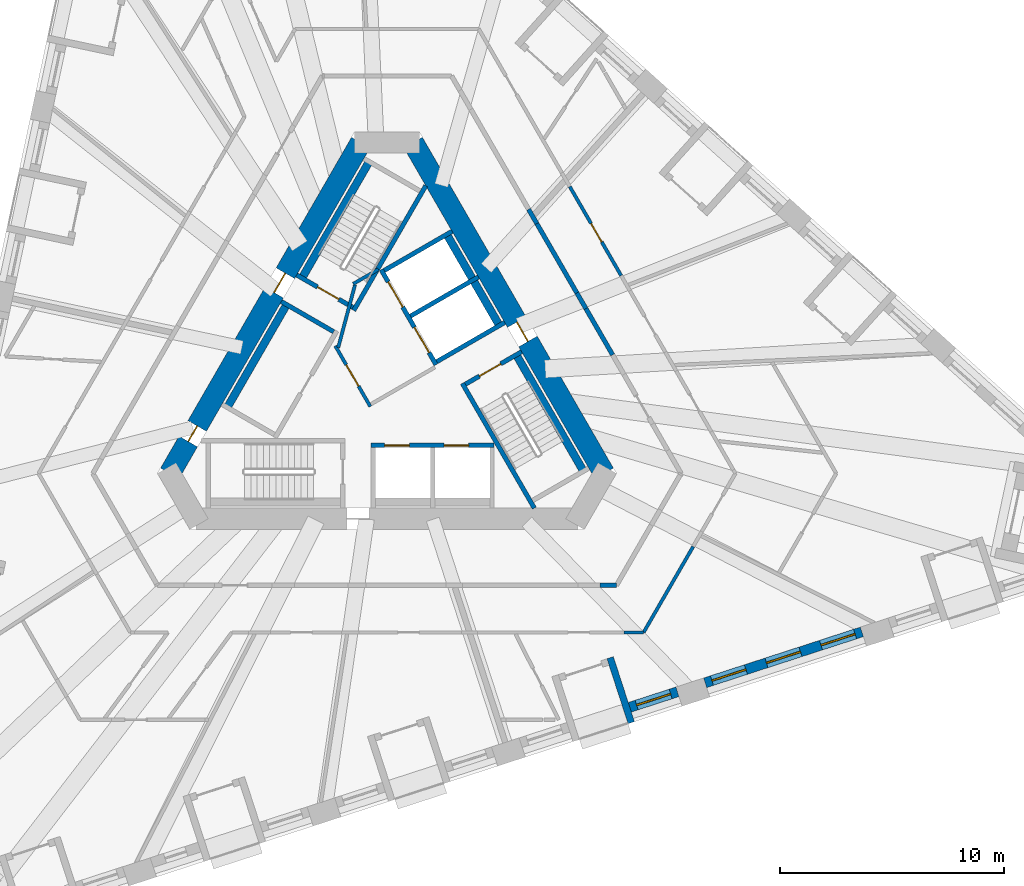
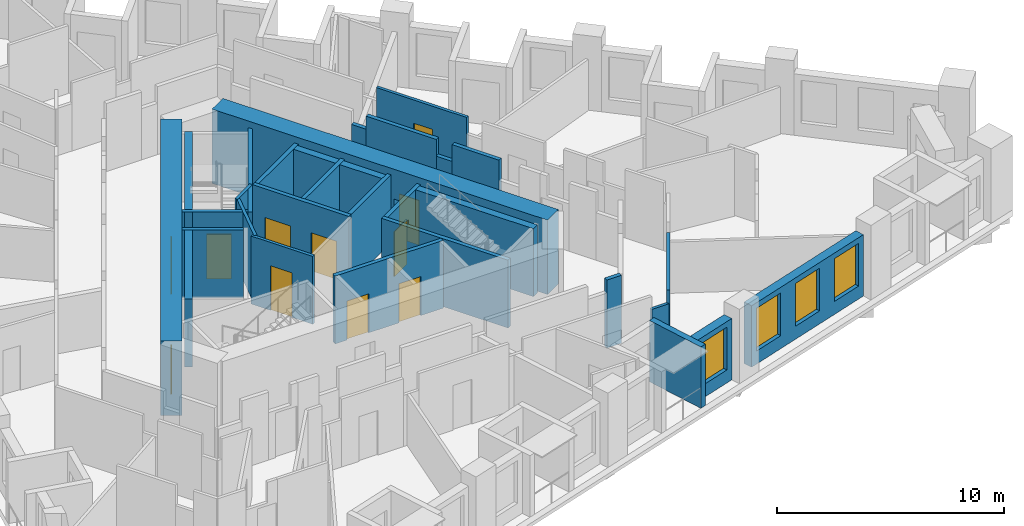
# One storey, part 5 of 12: 30 walls, 11 doors, 4 windows, 15 openings.
"""IFC4 building model written with IfcOpenShell, lengths in metres."""

from ifc_helpers import new_model, si_unit, direction, frame, frame_2d, origin, place, context, subcontext, project, spatial, rectangle, extrude, material, layer, layer_set, type_object, element, fill, save


model = new_model("IFC4")

# Units and contexts
model_context = context("Model", 3, precision=1e-05, world=origin(), true_north=direction((0.0, 1.0)))
body_context = subcontext(model_context, "Body", "Model", "MODEL_VIEW")
ifc_project = project(units=[si_unit("LENGTHUNIT", "METRE"), si_unit("AREAUNIT", "SQUARE_METRE"), si_unit("VOLUMEUNIT", "CUBIC_METRE"), si_unit("PLANEANGLEUNIT", "RADIAN"), si_unit("MASSUNIT", "GRAM", prefix="KILO")], contexts=[model_context])

# Site, building, storey
site_placement = place(None, origin())
site = spatial("IfcSite", under=ifc_project, at=site_placement, CompositionType="ELEMENT")
building_placement = place(site_placement, origin())
building = spatial("IfcBuilding", under=site, at=building_placement, Name="Tramontana Tower", CompositionType="ELEMENT")
storey_placement = place(building_placement, frame((0.0, 0.0, 96.39990234375)))
storey = spatial("IfcBuildingStorey", under=building, at=storey_placement, Name="L21", CompositionType="ELEMENT", Elevation=96.39990234375)

# Wall, openings, doors
ifc_material_1 = material(Name="Concrete 70 MPa", Category="concrete")
ifc_layer_1 = layer(ifc_material_1, 0.949951171875)
ifc_layer_set_1 = layer_set([ifc_layer_1], Name="Core wall 950 70 MPa")
wall_type_1 = type_object("IfcWallType", Name="Core wall 950 70 MPa", PredefinedType="SHEAR", material=ifc_layer_set_1)
wall_1_placement = place(storey_placement, frame((-1.169189453125, 10.52490234375, 0.0), z_axis=(0.0, 0.0, 1.0), x_axis=(-0.499999102847, -0.866025921755, 0.0)))
wall_1 = element("IfcWall", 1, at=wall_1_placement, inside=storey, type_object=wall_type_1, Name="Core wall C1 L21", PredefinedType="SHEAR", context=body_context, shape_type="SweptSolid", body=[
    extrude(rectangle(XDim=17.060546875, YDim=0.949951171875, at=frame_2d((8.5302734375, 0.0))), origin(), (0.0, 0.0, 1.0), 4.0),
])
opening_1_placement = place(wall_1_placement, frame((6.7353515625, 0.0, 0.0)))
opening_1 = element("IfcOpeningElement", 2, at=opening_1_placement, cuts=wall_1, Name="Opening RG1", PredefinedType="OPENING", context=body_context, shape_type="SweptSolid", body=[
    extrude(rectangle(XDim=1.0, YDim=2.39990234375, at=frame_2d((0.5, 1.199951171875))), frame((0.0, 0.48486328125, 0.0), z_axis=(0.0, -1.0, 0.0), x_axis=(1.0, 0.0, 0.0)), (0.0, 0.0, 1.0), 0.969970703125),
])
opening_2_placement = place(wall_1_placement, frame((14.612548828125, 0.0, 0.0)))
opening_2 = element("IfcOpeningElement", 3, at=opening_2_placement, cuts=wall_1, Name="Opening PD1", PredefinedType="OPENING", context=body_context, shape_type="SweptSolid", body=[
    extrude(rectangle(XDim=0.800048828125, YDim=2.10009765625, at=frame_2d((0.39990234375, 1.050048828125))), frame((0.0, 0.48486328125, 0.0), z_axis=(0.0, -1.0, 0.0), x_axis=(1.0, 0.0, 0.0)), (0.0, 0.0, 1.0), 0.969970703125),
])
ifc_material_2 = material(Name="Painted steel", Category="steel")
door_type_1 = type_object("IfcDoorType", Name="CUPBOARD DOOR 800", OperationType="SINGLE_SWING_LEFT", PredefinedType="DOOR", material=ifc_material_2)
door_1_placement = place(opening_2_placement, origin())
door_1 = element("IfcDoor", 4, at=door_1_placement, inside=storey, type_object=door_type_1, Name="Door PD1", OperationType="SINGLE_SWING_RIGHT", OverallHeight=2.10009765625, OverallWidth=0.800048828125, PredefinedType="DOOR", context=body_context, shape_type="SweptSolid", body=[
    extrude(rectangle(XDim=0.800048828125, YDim=2.10009765625, at=frame_2d((0.39990234375, 1.050048828125))), frame((0.0, 0.02490234375, 0.0), z_axis=(0.0, -1.0, 0.0), x_axis=(1.0, 0.0, 0.0)), (0.0, 0.0, 1.0), 0.050048828125),
])
fill(opening_2, door_1)
ifc_material_3 = material(Name="Painted steel", Category="steel")
door_type_2 = type_object("IfcDoorType", Name="RING DOOR 1000", OperationType="SINGLE_SWING_LEFT", PredefinedType="DOOR", material=ifc_material_3)
door_2_placement = place(opening_1_placement, origin())
door_2 = element("IfcDoor", 5, at=door_2_placement, inside=storey, type_object=door_type_2, Name="Door RG1", OperationType="SINGLE_SWING_LEFT", OverallHeight=2.39990234375, OverallWidth=1.0, PredefinedType="DOOR", context=body_context, shape_type="SweptSolid", body=[
    extrude(rectangle(XDim=1.0, YDim=2.39990234375, at=frame_2d((0.5, 1.199951171875))), frame((0.0, 0.02490234375, 0.0), z_axis=(0.0, -1.0, 0.0), x_axis=(1.0, 0.0, 0.0)), (0.0, 0.0, 1.0), 0.050048828125),
])
fill(opening_1, door_2)

# Wall, opening, door
wall_2_placement = place(storey_placement, frame((9.699462890625, -4.25, 0.0), z_axis=(0.0, 0.0, 1.0), x_axis=(-0.499999102847, 0.866025921755, 0.0)))
wall_2 = element("IfcWall", 6, at=wall_2_placement, inside=storey, type_object=wall_type_1, Name="Core wall C5 L21", PredefinedType="SHEAR", context=body_context, shape_type="SweptSolid", body=[
    extrude(rectangle(XDim=17.060546875, YDim=0.949951171875, at=frame_2d((8.5302734375, 0.0))), origin(), (0.0, 0.0, 1.0), 4.0),
])
opening_3_placement = place(wall_2_placement, frame((6.805419921875, 0.0, 0.0)))
opening_3 = element("IfcOpeningElement", 7, at=opening_3_placement, cuts=wall_2, Name="Opening RG3", PredefinedType="OPENING", context=body_context, shape_type="SweptSolid", body=[
    extrude(rectangle(XDim=1.0, YDim=2.39990234375, at=frame_2d((0.5, 1.199951171875))), frame((0.0, 0.48486328125, 0.0), z_axis=(0.0, -1.0, 0.0), x_axis=(1.0, 0.0, 0.0)), (0.0, 0.0, 1.0), 0.969970703125),
])
door_3_placement = place(opening_3_placement, origin())
door_3 = element("IfcDoor", 8, at=door_3_placement, inside=storey, type_object=door_type_2, Name="Door RG3", OperationType="SINGLE_SWING_LEFT", OverallHeight=2.39990234375, OverallWidth=1.0, PredefinedType="DOOR", context=body_context, shape_type="SweptSolid", body=[
    extrude(rectangle(XDim=1.0, YDim=2.39990234375, at=frame_2d((0.5, 1.199951171875))), frame((0.0, 0.02490234375, 0.0), z_axis=(0.0, -1.0, 0.0), x_axis=(1.0, 0.0, 0.0)), (0.0, 0.0, 1.0), 0.050048828125),
])
fill(opening_3, door_3)

# Walls
ifc_material_4 = material(Name="Blockwork", Category="masonry")
ifc_layer_2 = layer(ifc_material_4, 0.199951171875)
ifc_layer_set_2 = layer_set([ifc_layer_2], Name="ENTRY WALL 200")
wall_type_2 = type_object("IfcWallType", Name="ENTRY WALL 200", PredefinedType="SOLIDWALL", material=ifc_layer_set_2)
wall_3_placement = place(storey_placement, frame((6.323974609375, 7.546630859375, 0.0), z_axis=(0.0, 0.0, 1.0), x_axis=(0.499885169746, -0.866091690913, 0.0)))
element("IfcWall", 9, at=wall_3_placement, inside=storey, type_object=wall_type_2, Name="Wall v20-ew0-3", PredefinedType="SOLIDWALL", context=body_context, shape_type="SweptSolid", body=[
    extrude(rectangle(XDim=0.736083984375, YDim=0.199951171875, at=frame_2d((0.3681640625, 0.0))), origin(), (0.0, 0.0, 1.0), 2.9501953125),
])
wall_4_placement = place(storey_placement, frame((6.69189453125, 6.9091796875, 0.0), z_axis=(0.0, 0.0, 1.0), x_axis=(0.500029679218, -0.866008267802, 0.0)))
element("IfcWall", 10, at=wall_4_placement, inside=storey, type_object=wall_type_2, Name="Wall v20-ew0-4", PredefinedType="SOLIDWALL", context=body_context, shape_type="SweptSolid", body=[
    extrude(rectangle(XDim=3.576904296875, YDim=0.199951171875, at=frame_2d((1.78857421875, 0.0))), origin(), (0.0, 0.0, 1.0), 3.650146484375),
])
wall_5_placement = place(storey_placement, frame((8.48046875, 3.8115234375, 0.0), z_axis=(0.0, 0.0, 1.0), x_axis=(0.499809598504, -0.866135304236, 0.0)))
element("IfcWall", 11, at=wall_5_placement, inside=storey, type_object=wall_type_2, Name="Wall v20-ew0-5", PredefinedType="SOLIDWALL", context=body_context, shape_type="SweptSolid", body=[
    extrude(rectangle(XDim=0.808349609375, YDim=0.199951171875, at=frame_2d((0.404296875, 0.0))), origin(), (0.0, 0.0, 1.0), 2.75),
])
wall_6_placement = place(storey_placement, frame((8.884521484375, 3.111328125, 0.0), z_axis=(0.0, 0.0, 1.0), x_axis=(0.500035462246, -0.866004928679, 0.0)))
element("IfcWall", 12, at=wall_6_placement, inside=storey, type_object=wall_type_2, Name="Wall v20-ew0-6", PredefinedType="SOLIDWALL", context=body_context, shape_type="SweptSolid", body=[
    extrude(rectangle(XDim=2.385498046875, YDim=0.199951171875, at=frame_2d((1.19287109375, 0.0))), origin(), (0.0, 0.0, 1.0), 3.650146484375),
])
wall_7_placement = place(storey_placement, frame((10.248046875, -9.25, 0.0), z_axis=(0.0, 0.0, 1.0), x_axis=(-1.0, 0.0, 0.0)))
element("IfcWall", 13, at=wall_7_placement, inside=storey, type_object=wall_type_2, Name="Wall v20-ew2-0", PredefinedType="SOLIDWALL", context=body_context, shape_type="SweptSolid", body=[
    extrude(rectangle(XDim=0.74365234375, YDim=0.199951171875, at=frame_2d((0.371826171875, 0.0))), origin(), (0.0, 0.0, 1.0), 3.650146484375),
])

# Wall, opening, window
ifc_material_5 = material(Name="Precast concrete 60 MPa", Category="concrete")
ifc_layer_3 = layer(ifc_material_5, 0.449951171875)
ifc_layer_set_3 = layer_set([ifc_layer_3], Name="Precast concrete 60 MPa, 450 mm")
wall_type_3 = type_object("IfcWallType", Name="EW1 Stone-faced precast wall 450", PredefinedType="SOLIDWALL", material=ifc_layer_set_3)
wall_8_placement = place(storey_placement, frame((10.8447265625, -14.69287109375, 0.0), z_axis=(0.0, 0.0, 1.0), x_axis=(0.951057328329, 0.30901449518, 0.0)))
wall_8 = element("IfcWall", 14, at=wall_8_placement, inside=storey, type_object=wall_type_3, Name="External wall L21 face 1 bay 4", PredefinedType="SOLIDWALL", context=body_context, shape_type="SweptSolid", body=[
    extrude(rectangle(XDim=2.236572265625, YDim=0.449951171875, at=frame_2d((1.1181640625, 0.0))), origin(), (0.0, 0.0, 1.0), 3.300048828125),
])
opening_4_placement = place(wall_8_placement, frame((0.318359375, 0.0, 0.699951171875)))
opening_4 = element("IfcOpeningElement", 15, at=opening_4_placement, cuts=wall_8, Name="Opening M1", PredefinedType="OPENING", context=body_context, shape_type="SweptSolid", body=[
    extrude(rectangle(XDim=1.60009765625, YDim=2.300048828125, at=frame_2d((0.800048828125, 1.14990234375))), frame((0.0, 0.23486328125, 0.0), z_axis=(0.0, -1.0, 0.0), x_axis=(1.0, 0.0, 0.0)), (0.0, 0.0, 1.0), 0.469970703125),
])
ifc_material_6 = material(Name="Aluminum frame, double glazing unit", Category="aluminium")
window_type = type_object("IfcWindowType", Name="M1 Window 1.6 x 2.3", PartitioningType="SINGLE_PANEL", PredefinedType="WINDOW", material=ifc_material_6)
window_1_placement = place(opening_4_placement, origin())
window_1 = element("IfcWindow", 16, at=window_1_placement, inside=storey, type_object=window_type, Name="Window M1 L21 face 1 module 12", OverallHeight=2.300048828125, OverallWidth=1.60009765625, PartitioningType="SINGLE_PANEL", PredefinedType="WINDOW", context=body_context, shape_type="SweptSolid", body=[
    extrude(rectangle(XDim=1.60009765625, YDim=2.300048828125, at=frame_2d((0.800048828125, 1.14990234375))), frame((0.0, 0.030029296875, 0.0), z_axis=(0.0, -1.0, 0.0), x_axis=(1.0, 0.0, 0.0)), (0.0, 0.0, 1.0), 0.06005859375),
])
fill(opening_4, window_1)

# Wall, openings, windows
wall_9_placement = place(storey_placement, frame((14.208251953125, -13.60009765625, 0.0), z_axis=(0.0, 0.0, 1.0), x_axis=(0.951057467065, 0.309014068191, 0.0)))
wall_9 = element("IfcWall", 17, at=wall_9_placement, inside=storey, type_object=wall_type_3, Name="External wall L21 face 1 bay 5", PredefinedType="SOLIDWALL", context=body_context, shape_type="SweptSolid", body=[
    extrude(rectangle(XDim=7.360107421875, YDim=0.449951171875, at=frame_2d((3.68017578125, 0.0))), origin(), (0.0, 0.0, 1.0), 3.300048828125),
])
opening_5_placement = place(wall_9_placement, frame((0.318359375, 0.0, 0.699951171875)))
opening_5 = element("IfcOpeningElement", 18, at=opening_5_placement, cuts=wall_9, Name="Opening M1", PredefinedType="OPENING", context=body_context, shape_type="SweptSolid", body=[
    extrude(rectangle(XDim=1.60009765625, YDim=2.300048828125, at=frame_2d((0.800048828125, 1.14990234375))), frame((0.0, 0.23486328125, 0.0), z_axis=(0.0, -1.0, 0.0), x_axis=(1.0, 0.0, 0.0)), (0.0, 0.0, 1.0), 0.469970703125),
])
opening_6_placement = place(wall_9_placement, frame((2.880126953125, 0.0, 0.699951171875)))
opening_6 = element("IfcOpeningElement", 19, at=opening_6_placement, cuts=wall_9, Name="Opening M1", PredefinedType="OPENING", context=body_context, shape_type="SweptSolid", body=[
    extrude(rectangle(XDim=1.60009765625, YDim=2.300048828125, at=frame_2d((0.800048828125, 1.14990234375))), frame((0.0, 0.23486328125, 0.0), z_axis=(0.0, -1.0, 0.0), x_axis=(1.0, 0.0, 0.0)), (0.0, 0.0, 1.0), 0.469970703125),
])
opening_7_placement = place(wall_9_placement, frame((5.44189453125, 0.0, 0.699951171875)))
opening_7 = element("IfcOpeningElement", 20, at=opening_7_placement, cuts=wall_9, Name="Opening M1", PredefinedType="OPENING", context=body_context, shape_type="SweptSolid", body=[
    extrude(rectangle(XDim=1.60009765625, YDim=2.300048828125, at=frame_2d((0.800048828125, 1.14990234375))), frame((0.0, 0.23486328125, 0.0), z_axis=(0.0, -1.0, 0.0), x_axis=(1.0, 0.0, 0.0)), (0.0, 0.0, 1.0), 0.469970703125),
])
window_2_placement = place(opening_5_placement, origin())
window_2 = element("IfcWindow", 21, at=window_2_placement, inside=storey, type_object=window_type, Name="Window M1 L21 face 1 module 13", OverallHeight=2.300048828125, OverallWidth=1.60009765625, PartitioningType="SINGLE_PANEL", PredefinedType="WINDOW", context=body_context, shape_type="SweptSolid", body=[
    extrude(rectangle(XDim=1.60009765625, YDim=2.300048828125, at=frame_2d((0.800048828125, 1.14990234375))), frame((0.0, 0.030029296875, 0.0), z_axis=(0.0, -1.0, 0.0), x_axis=(1.0, 0.0, 0.0)), (0.0, 0.0, 1.0), 0.06005859375),
])
fill(opening_5, window_2)
window_3_placement = place(opening_6_placement, origin())
window_3 = element("IfcWindow", 22, at=window_3_placement, inside=storey, type_object=window_type, Name="Window M1 L21 face 1 module 14", OverallHeight=2.300048828125, OverallWidth=1.60009765625, PartitioningType="SINGLE_PANEL", PredefinedType="WINDOW", context=body_context, shape_type="SweptSolid", body=[
    extrude(rectangle(XDim=1.60009765625, YDim=2.300048828125, at=frame_2d((0.800048828125, 1.14990234375))), frame((0.0, 0.030029296875, 0.0), z_axis=(0.0, -1.0, 0.0), x_axis=(1.0, 0.0, 0.0)), (0.0, 0.0, 1.0), 0.06005859375),
])
fill(opening_6, window_3)
window_4_placement = place(opening_7_placement, origin())
window_4 = element("IfcWindow", 23, at=window_4_placement, inside=storey, type_object=window_type, Name="Window M1 L21 face 1 module 15", OverallHeight=2.300048828125, OverallWidth=1.60009765625, PartitioningType="SINGLE_PANEL", PredefinedType="WINDOW", context=body_context, shape_type="SweptSolid", body=[
    extrude(rectangle(XDim=1.60009765625, YDim=2.300048828125, at=frame_2d((0.800048828125, 1.14990234375))), frame((0.0, 0.030029296875, 0.0), z_axis=(0.0, -1.0, 0.0), x_axis=(1.0, 0.0, 0.0)), (0.0, 0.0, 1.0), 0.06005859375),
])
fill(opening_7, window_4)

# Wall
ifc_material_7 = material(Name="Precast concrete 60 MPa", Category="concrete")
ifc_layer_4 = layer(ifc_material_7, 0.300048828125)
ifc_layer_set_4 = layer_set([ifc_layer_4], Name="LW1 Stone-faced loggia wall 300")
wall_type_4 = type_object("IfcWallType", Name="LW1 Stone-faced loggia wall 300", PredefinedType="SOLIDWALL", material=ifc_layer_set_4)
wall_10_placement = place(storey_placement, frame((10.91064453125, -15.38134765625, 0.0), z_axis=(0.0, 0.0, 1.0), x_axis=(-0.309039015525, 0.951049360908, 0.0)))
element("IfcWall", 24, at=wall_10_placement, inside=storey, type_object=wall_type_4, Name="Loggia return L21 G2S1.10b", PredefinedType="SOLIDWALL", context=body_context, shape_type="SweptSolid", body=[
    extrude(rectangle(XDim=3.05029296875, YDim=0.300048828125, at=frame_2d((1.525146484375, 0.0))), origin(), (0.0, 0.0, 1.0), 3.300048828125),
])

# Wall, opening, door
ifc_material_8 = material(Name="Gypsum board partition")
ifc_layer_5 = layer(ifc_material_8, 0.14990234375)
ifc_layer_set_5 = layer_set([ifc_layer_5], Name="PARTITION 150")
wall_type_5 = type_object("IfcWallType", Name="PARTITION 150", PredefinedType="PARTITIONING", material=ifc_layer_set_5)
wall_11_placement = place(storey_placement, frame((-0.744140625, -1.260986328125, 0.0), z_axis=(0.0, 0.0, 1.0), x_axis=(-0.500004234368, 0.866022959057, 0.0)))
wall_11 = element("IfcWall", 25, at=wall_11_placement, inside=storey, type_object=wall_type_5, Name="Wall ff-front", PredefinedType="PARTITIONING", context=body_context, shape_type="SweptSolid", body=[
    extrude(rectangle(XDim=3.125, YDim=0.14990234375, at=frame_2d((1.5625, 0.0))), origin(), (0.0, 0.0, 1.0), 3.650146484375),
])
opening_8_placement = place(wall_11_placement, frame((1.050048828125, 0.0, 0.0)))
opening_8 = element("IfcOpeningElement", 26, at=opening_8_placement, cuts=wall_11, Name="Opening FD1", PredefinedType="OPENING", context=body_context, shape_type="SweptSolid", body=[
    extrude(rectangle(XDim=1.10009765625, YDim=2.39990234375, at=frame_2d((0.550048828125, 1.199951171875))), frame((0.0, 0.0849609375, 0.0), z_axis=(0.0, -1.0, 0.0), x_axis=(1.0, 0.0, 0.0)), (0.0, 0.0, 1.0), 0.169921875),
])
ifc_material_9 = material(Name="Painted timber", Category="wood")
door_type_3 = type_object("IfcDoorType", Name="DOOR ENTRY 1100", OperationType="SINGLE_SWING_LEFT", PredefinedType="DOOR", material=ifc_material_9)
door_4_placement = place(opening_8_placement, origin())
door_4 = element("IfcDoor", 27, at=door_4_placement, inside=storey, type_object=door_type_3, Name="Door FD1", OperationType="SINGLE_SWING_RIGHT", OverallHeight=2.39990234375, OverallWidth=1.10009765625, PredefinedType="DOOR", context=body_context, shape_type="SweptSolid", body=[
    extrude(rectangle(XDim=1.10009765625, YDim=2.39990234375, at=frame_2d((0.550048828125, 1.199951171875))), frame((0.0, 0.02490234375, 0.0), z_axis=(0.0, -1.0, 0.0), x_axis=(1.0, 0.0, 0.0)), (0.0, 0.0, 1.0), 0.050048828125),
])
fill(opening_8, door_4)

# Walls
wall_12_placement = place(storey_placement, frame((-2.177978515625, 1.372314453125, 0.0), z_axis=(0.0, 0.0, 1.0), x_axis=(0.258808958833, 0.96592852884, 0.0)))
element("IfcWall", 28, at=wall_12_placement, inside=storey, type_object=wall_type_5, Name="Wall ff-diag", PredefinedType="PARTITIONING", context=body_context, shape_type="SweptSolid", body=[
    extrude(rectangle(XDim=2.902587890625, YDim=0.14990234375, at=frame_2d((1.451171875, 0.0))), origin(), (0.0, 0.0, 1.0), 3.650146484375),
])
wall_13_placement = place(storey_placement, frame((-1.509765625, 4.21484375, 0.0), z_axis=(0.0, 0.0, 1.0), x_axis=(0.866085525409, 0.49989585183, 0.0)))
element("IfcWall", 29, at=wall_13_placement, inside=storey, type_object=wall_type_5, Name="Wall ff-end1", PredefinedType="PARTITIONING", context=body_context, shape_type="SweptSolid", body=[
    extrude(rectangle(XDim=1.300048828125, YDim=0.14990234375, at=frame_2d((0.64990234375, 0.0))), origin(), (0.0, 0.0, 1.0), 3.650146484375),
])

# Wall, opening, door
wall_14_placement = place(storey_placement, frame((8.162841796875, 8.5615234375, 0.0), z_axis=(0.0, 0.0, 1.0), x_axis=(0.500023253097, -0.866011978186, 0.0)))
wall_14 = element("IfcWall", 30, at=wall_14_placement, inside=storey, type_object=wall_type_5, Name="Wall v20-pw23-3", PredefinedType="PARTITIONING", context=body_context, shape_type="SweptSolid", body=[
    extrude(rectangle(XDim=4.590087890625, YDim=0.14990234375, at=frame_2d((2.294921875, 0.0))), origin(), (0.0, 0.0, 1.0), 3.650146484375),
])
opening_9_placement = place(wall_14_placement, frame((1.900146484375, 0.0, 0.0)))
opening_9 = element("IfcOpeningElement", 31, at=opening_9_placement, cuts=wall_14, Name="Opening B2A-19", PredefinedType="OPENING", context=body_context, shape_type="SweptSolid", body=[
    extrude(rectangle(XDim=0.949951171875, YDim=2.39990234375, at=frame_2d((0.47509765625, 1.199951171875))), frame((0.0, 0.0849609375, 0.0), z_axis=(0.0, -1.0, 0.0), x_axis=(1.0, 0.0, 0.0)), (0.0, 0.0, 1.0), 0.169921875),
])
ifc_material_10 = material(Name="Painted timber", Category="wood")
door_type_4 = type_object("IfcDoorType", Name="DOOR ROOM 950", OperationType="SINGLE_SWING_LEFT", PredefinedType="DOOR", material=ifc_material_10)
door_5_placement = place(opening_9_placement, origin())
door_5 = element("IfcDoor", 32, at=door_5_placement, inside=storey, type_object=door_type_4, Name="Door B2A-19", OperationType="SINGLE_SWING_LEFT", OverallHeight=2.39990234375, OverallWidth=0.949951171875, PredefinedType="DOOR", context=body_context, shape_type="SweptSolid", body=[
    extrude(rectangle(XDim=0.949951171875, YDim=2.39990234375, at=frame_2d((0.47509765625, 1.199951171875))), frame((0.0, 0.02490234375, 0.0), z_axis=(0.0, -1.0, 0.0), x_axis=(1.0, 0.0, 0.0)), (0.0, 0.0, 1.0), 0.050048828125),
])
fill(opening_9, door_5)

# Walls
wall_15_placement = place(storey_placement, frame((11.46044921875, -11.35009765625, 0.0), z_axis=(0.0, 0.0, 1.0), x_axis=(-1.0, 0.0, 0.0)))
element("IfcWall", 33, at=wall_15_placement, inside=storey, type_object=wall_type_5, Name="Wall v20-pw32-0", PredefinedType="PARTITIONING", context=body_context, shape_type="SweptSolid", body=[
    extrude(rectangle(XDim=0.869384765625, YDim=0.14990234375, at=frame_2d((0.4345703125, 0.0))), origin(), (0.0, 0.0, 1.0), 2.9501953125),
])
wall_16_placement = place(storey_placement, frame((13.67333984375, -7.51708984375, 0.0), z_axis=(0.0, 0.0, 1.0), x_axis=(-0.500007369519, -0.866021148949, 0.0)))
element("IfcWall", 34, at=wall_16_placement, inside=storey, type_object=wall_type_5, Name="Wall v20-pw35-3", PredefinedType="PARTITIONING", context=body_context, shape_type="SweptSolid", body=[
    extrude(rectangle(XDim=4.42578125, YDim=0.14990234375, at=frame_2d((2.212890625, 0.0))), origin(), (0.0, 0.0, 1.0), 3.650146484375),
])
ifc_material_11 = material(Name="Concrete 70 MPa", Category="concrete")
ifc_layer_6 = layer(ifc_material_11, 0.35009765625)
ifc_layer_set_6 = layer_set([ifc_layer_6], Name="Concrete 70 MPa, 350 mm")
wall_type_6 = type_object("IfcWallType", Name="RC SHAFT BACK WALL 350", PredefinedType="SOLIDWALL", material=ifc_layer_set_6)
wall_17_placement = place(storey_placement, frame((-0.744873046875, 9.760009765625, 0.0), z_axis=(0.0, 0.0, 1.0), x_axis=(-0.49998037582, -0.866036733513, 0.0)))
element("IfcWall", 35, at=wall_17_placement, inside=storey, type_object=wall_type_6, Name="Wall st1-back", PredefinedType="SOLIDWALL", context=body_context, shape_type="SweptSolid", body=[
    extrude(rectangle(XDim=6.199951171875, YDim=0.35009765625, at=frame_2d((3.10009765625, 0.0))), origin(), (0.0, 0.0, 1.0), 3.650146484375),
])
wall_18_placement = place(storey_placement, frame((8.82470703125, -4.23486328125, 0.0), z_axis=(0.0, 0.0, 1.0), x_axis=(-0.499997426962, 0.866026889324, 0.0)))
element("IfcWall", 36, at=wall_18_placement, inside=storey, type_object=wall_type_6, Name="Wall st3-back", PredefinedType="SOLIDWALL", context=body_context, shape_type="SweptSolid", body=[
    extrude(rectangle(XDim=6.19970703125, YDim=0.35009765625, at=frame_2d((3.099853515625, 0.0))), origin(), (0.0, 0.0, 1.0), 3.650146484375),
])
wall_19_placement = place(storey_placement, frame((-4.4296875, 3.37744140625, 0.0), z_axis=(0.0, 0.0, 1.0), x_axis=(-0.499996545922, -0.866027397988, 0.0)))
element("IfcWall", 37, at=wall_19_placement, inside=storey, type_object=wall_type_6, Name="Wall row0-back", PredefinedType="SOLIDWALL", context=body_context, shape_type="SweptSolid", body=[
    extrude(rectangle(XDim=5.5, YDim=0.35009765625, at=frame_2d((2.75, 0.0))), origin(), (0.0, 0.0, 1.0), 3.650146484375),
])
wall_20_placement = place(storey_placement, frame((5.06982421875, 2.268798828125, 0.0), z_axis=(0.0, 0.0, 1.0), x_axis=(-0.49998122708, 0.866036242063, 0.0)))
element("IfcWall", 38, at=wall_20_placement, inside=storey, type_object=wall_type_6, Name="Wall row2-back", PredefinedType="SOLIDWALL", context=body_context, shape_type="SweptSolid", body=[
    extrude(rectangle(XDim=4.900146484375, YDim=0.35009765625, at=frame_2d((2.4501953125, 0.0))), origin(), (0.0, 0.0, 1.0), 3.650146484375),
])
ifc_material_12 = material(Name="Concrete 70 MPa", Category="concrete")
ifc_layer_7 = layer(ifc_material_12, 0.199951171875)
ifc_layer_set_7 = layer_set([ifc_layer_7], Name="Concrete 70 MPa, 200 mm")
wall_type_7 = type_object("IfcWallType", Name="RC STAIR AND SHAFT WALL 200", PredefinedType="SOLIDWALL", material=ifc_layer_set_7)
wall_21_placement = place(storey_placement, frame((1.73193359375, 8.60009765625, 0.0), z_axis=(0.0, 0.0, 1.0), x_axis=(-0.499975376872, -0.866039619487, 0.0)))
element("IfcWall", 39, at=wall_21_placement, inside=storey, type_object=wall_type_7, Name="Wall st1-front", PredefinedType="SOLIDWALL", context=body_context, shape_type="SweptSolid", body=[
    extrude(rectangle(XDim=6.433837890625, YDim=0.199951171875, at=frame_2d((3.216796875, 0.0))), origin(), (0.0, 0.0, 1.0), 3.650146484375),
])

# Wall, opening, door
wall_22_placement = place(storey_placement, frame((-1.521484375, 3.164794921875, 0.0), z_axis=(0.0, 0.0, 1.0), x_axis=(-0.866032775405, 0.499987231761, 0.0)))
wall_22 = element("IfcWall", 40, at=wall_22_placement, inside=storey, type_object=wall_type_7, Name="Wall st1-near", PredefinedType="SOLIDWALL", context=body_context, shape_type="SweptSolid", body=[
    extrude(rectangle(XDim=2.89990234375, YDim=0.199951171875, at=frame_2d((1.449951171875, 0.0))), origin(), (0.0, 0.0, 1.0), 3.650146484375),
])
opening_10_placement = place(wall_22_placement, frame((0.72509765625, 0.0, 0.0)))
opening_10 = element("IfcOpeningElement", 41, at=opening_10_placement, cuts=wall_22, Name="Opening SD1", PredefinedType="OPENING", context=body_context, shape_type="SweptSolid", body=[
    extrude(rectangle(XDim=1.10009765625, YDim=2.39990234375, at=frame_2d((0.550048828125, 1.199951171875))), frame((0.0, 0.10986328125, 0.0), z_axis=(0.0, -1.0, 0.0), x_axis=(1.0, 0.0, 0.0)), (0.0, 0.0, 1.0), 0.219970703125),
])
ifc_material_13 = material(Name="Painted steel", Category="steel")
door_type_5 = type_object("IfcDoorType", Name="STAIR DOOR 1100", OperationType="SINGLE_SWING_LEFT", PredefinedType="DOOR", material=ifc_material_13)
door_6_placement = place(opening_10_placement, origin())
door_6 = element("IfcDoor", 42, at=door_6_placement, inside=storey, type_object=door_type_5, Name="Door SD1", OperationType="SINGLE_SWING_RIGHT", OverallHeight=2.39990234375, OverallWidth=1.10009765625, PredefinedType="DOOR", context=body_context, shape_type="SweptSolid", body=[
    extrude(rectangle(XDim=1.10009765625, YDim=2.39990234375, at=frame_2d((0.550048828125, 1.199951171875))), frame((0.0, 0.02490234375, 0.0), z_axis=(0.0, -1.0, 0.0), x_axis=(1.0, 0.0, 0.0)), (0.0, 0.0, 1.0), 0.050048828125),
])
fill(opening_10, door_6)

# Wall
wall_23_placement = place(storey_placement, frame((6.581787109375, -5.800048828125, 0.0), z_axis=(0.0, 0.0, 1.0), x_axis=(-0.499975376872, 0.866039619487, 0.0)))
element("IfcWall", 43, at=wall_23_placement, inside=storey, type_object=wall_type_7, Name="Wall st3-front", PredefinedType="SOLIDWALL", context=body_context, shape_type="SweptSolid", body=[
    extrude(rectangle(XDim=6.433837890625, YDim=0.199951171875, at=frame_2d((3.216796875, 0.0))), origin(), (0.0, 0.0, 1.0), 3.650146484375),
])

# Wall, opening, door
wall_24_placement = place(storey_placement, frame((3.50146484375, -0.2646484375, 0.0), z_axis=(0.0, 0.0, 1.0), x_axis=(0.866032775405, 0.499987231761, 0.0)))
wall_24 = element("IfcWall", 44, at=wall_24_placement, inside=storey, type_object=wall_type_7, Name="Wall st3-near", PredefinedType="SOLIDWALL", context=body_context, shape_type="SweptSolid", body=[
    extrude(rectangle(XDim=2.89990234375, YDim=0.199951171875, at=frame_2d((1.449951171875, 0.0))), origin(), (0.0, 0.0, 1.0), 3.650146484375),
])
opening_11_placement = place(wall_24_placement, frame((0.72509765625, 0.0, 0.0)))
opening_11 = element("IfcOpeningElement", 45, at=opening_11_placement, cuts=wall_24, Name="Opening SD3", PredefinedType="OPENING", context=body_context, shape_type="SweptSolid", body=[
    extrude(rectangle(XDim=1.10009765625, YDim=2.39990234375, at=frame_2d((0.550048828125, 1.199951171875))), frame((0.0, 0.10986328125, 0.0), z_axis=(0.0, -1.0, 0.0), x_axis=(1.0, 0.0, 0.0)), (0.0, 0.0, 1.0), 0.219970703125),
])
door_7_placement = place(opening_11_placement, origin())
door_7 = element("IfcDoor", 46, at=door_7_placement, inside=storey, type_object=door_type_5, Name="Door SD3", OperationType="SINGLE_SWING_RIGHT", OverallHeight=2.39990234375, OverallWidth=1.10009765625, PredefinedType="DOOR", context=body_context, shape_type="SweptSolid", body=[
    extrude(rectangle(XDim=1.10009765625, YDim=2.39990234375, at=frame_2d((0.550048828125, 1.199951171875))), frame((0.0, 0.02490234375, 0.0), z_axis=(0.0, -1.0, 0.0), x_axis=(1.0, 0.0, 0.0)), (0.0, 0.0, 1.0), 0.050048828125),
])
fill(opening_11, door_7)

# Wall
wall_25_placement = place(storey_placement, frame((-2.379638671875, 2.078369140625, 0.0), z_axis=(0.0, 0.0, 1.0), x_axis=(-0.866059108428, 0.4999416173, 0.0)))
element("IfcWall", 47, at=wall_25_placement, inside=storey, type_object=wall_type_7, Name="Wall row0-side0", PredefinedType="SOLIDWALL", context=body_context, shape_type="SweptSolid", body=[
    extrude(rectangle(XDim=2.699951171875, YDim=0.199951171875, at=frame_2d((1.35009765625, 0.0))), origin(), (0.0, 0.0, 1.0), 3.650146484375),
])

# Wall, openings, doors
wall_26_placement = place(storey_placement, frame((-0.7099609375, -3.0, 0.0), z_axis=(0.0, 0.0, 1.0), x_axis=(1.0, 0.0, 0.0)))
wall_26 = element("IfcWall", 48, at=wall_26_placement, inside=storey, type_object=wall_type_7, Name="Wall row1-front", PredefinedType="SOLIDWALL", context=body_context, shape_type="SweptSolid", body=[
    extrude(rectangle(XDim=5.5, YDim=0.199951171875, at=frame_2d((2.75, 0.0))), origin(), (0.0, 0.0, 1.0), 3.650146484375),
])
opening_12_placement = place(wall_26_placement, frame((0.610107421875, 0.0, 0.0)))
opening_12 = element("IfcOpeningElement", 49, at=opening_12_placement, cuts=wall_26, Name="Opening LD-S1", PredefinedType="OPENING", context=body_context, shape_type="SweptSolid", body=[
    extrude(rectangle(XDim=1.10009765625, YDim=2.10009765625, at=frame_2d((0.550048828125, 1.050048828125))), frame((0.0, 0.10986328125, 0.0), z_axis=(0.0, -1.0, 0.0), x_axis=(1.0, 0.0, 0.0)), (0.0, 0.0, 1.0), 0.219970703125),
])
opening_13_placement = place(wall_26_placement, frame((3.260009765625, 0.0, 0.0)))
opening_13 = element("IfcOpeningElement", 50, at=opening_13_placement, cuts=wall_26, Name="Opening LD-S2", PredefinedType="OPENING", context=body_context, shape_type="SweptSolid", body=[
    extrude(rectangle(XDim=1.10009765625, YDim=2.10009765625, at=frame_2d((0.550048828125, 1.050048828125))), frame((0.0, 0.10986328125, 0.0), z_axis=(0.0, -1.0, 0.0), x_axis=(1.0, 0.0, 0.0)), (0.0, 0.0, 1.0), 0.219970703125),
])
ifc_material_14 = material(Name="Brushed steel", Category="steel")
door_type_6 = type_object("IfcDoorType", Name="LANDING DOOR 1100", OperationType="SINGLE_SWING_LEFT", PredefinedType="DOOR", material=ifc_material_14)
door_8_placement = place(opening_12_placement, origin())
door_8 = element("IfcDoor", 51, at=door_8_placement, inside=storey, type_object=door_type_6, Name="Door LD-S1", OperationType="SLIDING_TO_RIGHT", OverallHeight=2.10009765625, OverallWidth=1.10009765625, PredefinedType="DOOR", context=body_context, shape_type="SweptSolid", body=[
    extrude(rectangle(XDim=1.10009765625, YDim=2.10009765625, at=frame_2d((0.550048828125, 1.050048828125))), frame((0.0, 0.02490234375, 0.0), z_axis=(0.0, -1.0, 0.0), x_axis=(1.0, 0.0, 0.0)), (0.0, 0.0, 1.0), 0.050048828125),
])
fill(opening_12, door_8)
door_9_placement = place(opening_13_placement, origin())
door_9 = element("IfcDoor", 52, at=door_9_placement, inside=storey, type_object=door_type_6, Name="Door LD-S2", OperationType="SLIDING_TO_LEFT", OverallHeight=2.10009765625, OverallWidth=1.10009765625, PredefinedType="DOOR", context=body_context, shape_type="SweptSolid", body=[
    extrude(rectangle(XDim=1.10009765625, YDim=2.10009765625, at=frame_2d((0.550048828125, 1.050048828125))), frame((0.0, 0.02490234375, 0.0), z_axis=(0.0, -1.0, 0.0), x_axis=(1.0, 0.0, 0.0)), (0.0, 0.0, 1.0), 0.050048828125),
])
fill(opening_13, door_9)

wall_27_placement = place(storey_placement, frame((2.190185546875, 0.6064453125, 0.0), z_axis=(0.0, 0.0, 1.0), x_axis=(-0.500002801628, 0.866023786258, 0.0)))
wall_27 = element("IfcWall", 53, at=wall_27_placement, inside=storey, type_object=wall_type_7, Name="Wall row2-front", PredefinedType="SOLIDWALL", context=body_context, shape_type="SweptSolid", body=[
    extrude(rectangle(XDim=4.89990234375, YDim=0.199951171875, at=frame_2d((2.449951171875, 0.0))), origin(), (0.0, 0.0, 1.0), 3.650146484375),
])
opening_14_placement = place(wall_27_placement, frame((0.625, 0.0, 0.0)))
opening_14 = element("IfcOpeningElement", 54, at=opening_14_placement, cuts=wall_27, Name="Opening LD-F1", PredefinedType="OPENING", context=body_context, shape_type="SweptSolid", body=[
    extrude(rectangle(XDim=1.300048828125, YDim=2.10009765625, at=frame_2d((0.64990234375, 1.050048828125))), frame((0.0, 0.10986328125, 0.0), z_axis=(0.0, -1.0, 0.0), x_axis=(1.0, 0.0, 0.0)), (0.0, 0.0, 1.0), 0.219970703125),
])
opening_15_placement = place(wall_27_placement, frame((2.97509765625, 0.0, 0.0)))
opening_15 = element("IfcOpeningElement", 55, at=opening_15_placement, cuts=wall_27, Name="Opening LD-F2", PredefinedType="OPENING", context=body_context, shape_type="SweptSolid", body=[
    extrude(rectangle(XDim=1.300048828125, YDim=2.10009765625, at=frame_2d((0.64990234375, 1.050048828125))), frame((0.0, 0.10986328125, 0.0), z_axis=(0.0, -1.0, 0.0), x_axis=(1.0, 0.0, 0.0)), (0.0, 0.0, 1.0), 0.219970703125),
])
ifc_material_15 = material(Name="Brushed steel", Category="steel")
door_type_7 = type_object("IfcDoorType", Name="LANDING DOOR 1300", OperationType="SINGLE_SWING_LEFT", PredefinedType="DOOR", material=ifc_material_15)
door_10_placement = place(opening_14_placement, origin())
door_10 = element("IfcDoor", 56, at=door_10_placement, inside=storey, type_object=door_type_7, Name="Door LD-F1", OperationType="SLIDING_TO_RIGHT", OverallHeight=2.10009765625, OverallWidth=1.300048828125, PredefinedType="DOOR", context=body_context, shape_type="SweptSolid", body=[
    extrude(rectangle(XDim=1.300048828125, YDim=2.10009765625, at=frame_2d((0.64990234375, 1.050048828125))), frame((0.0, 0.02490234375, 0.0), z_axis=(0.0, -1.0, 0.0), x_axis=(1.0, 0.0, 0.0)), (0.0, 0.0, 1.0), 0.050048828125),
])
fill(opening_14, door_10)
door_11_placement = place(opening_15_placement, origin())
door_11 = element("IfcDoor", 57, at=door_11_placement, inside=storey, type_object=door_type_7, Name="Door LD-F2", OperationType="SLIDING_TO_LEFT", OverallHeight=2.10009765625, OverallWidth=1.300048828125, PredefinedType="DOOR", context=body_context, shape_type="SweptSolid", body=[
    extrude(rectangle(XDim=1.300048828125, YDim=2.10009765625, at=frame_2d((0.64990234375, 1.050048828125))), frame((0.0, 0.02490234375, 0.0), z_axis=(0.0, -1.0, 0.0), x_axis=(1.0, 0.0, 0.0)), (0.0, 0.0, 1.0), 0.050048828125),
])
fill(opening_15, door_11)

# Walls
for number, where, z_axis, x_axis, name in (
    (58, (2.226806640625, 0.742919921875, 0.0), (0.0, 0.0, 1.0), (0.866036909293, 0.499980071345, 0.0), "Wall row2-side0"),
    (59, (1.0517578125, 2.778076171875, 0.0), (0.0, 0.0, 1.0), (0.866036909293, 0.499980071345, 0.0), "Wall row2-side1"),
):
    element("IfcWall", number, at=place(storey_placement, frame(where, z_axis=z_axis, x_axis=x_axis)), inside=storey, type_object=wall_type_7, Name=name, PredefinedType="SOLIDWALL", context=body_context, shape_type="SweptSolid", body=[
        extrude(rectangle(XDim=3.500244140625, YDim=0.199951171875, at=frame_2d((1.75, 0.0))), origin(), (0.0, 0.0, 1.0), 3.650146484375),
    ])
wall_28_placement = place(storey_placement, frame((-0.123046875, 4.813232421875, 0.0), z_axis=(0.0, 0.0, 1.0), x_axis=(0.866019471182, 0.500010275428, 0.0)))
element("IfcWall", 60, at=wall_28_placement, inside=storey, type_object=wall_type_7, Name="Wall row2-side2", PredefinedType="SOLIDWALL", context=body_context, shape_type="SweptSolid", body=[
    extrude(rectangle(XDim=3.5, YDim=0.199951171875, at=frame_2d((1.75, 0.0))), origin(), (0.0, 0.0, 1.0), 3.650146484375),
])

save(model, "model.ifc")
